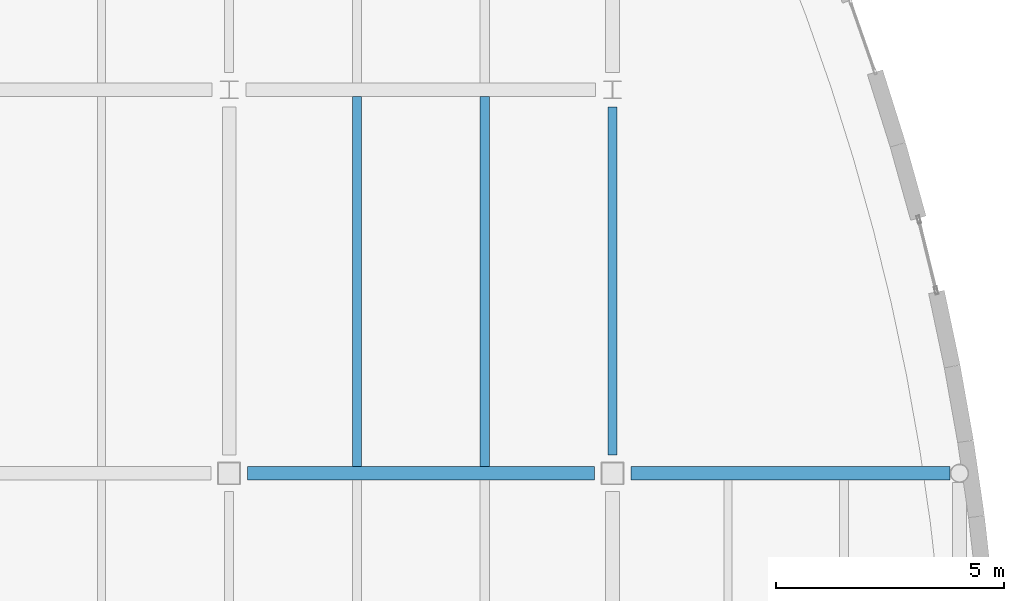
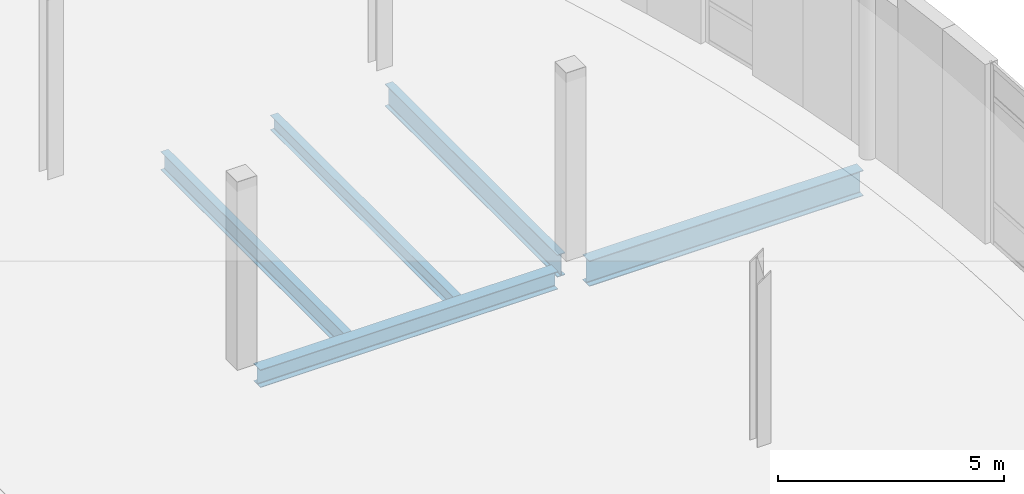
# One storey, part 49 of 104: 5 beams.
"""IFC4 building model written with IfcOpenShell, lengths in metres."""

from ifc_helpers import new_model, si_unit, direction, frame, origin, origin_2d, place, context, subcontext, project, spatial, i_section, extrude, material, material_profile, profile_set, type_object, element, save


model = new_model("IFC4")

# Units and contexts
model_context = context("Model", 3, precision=1e-05, world=origin(), true_north=direction((0.0, 1.0)))
body_context = subcontext(model_context, "Body", "Model", "MODEL_VIEW")
ifc_project = project(units=[si_unit("LENGTHUNIT", "METRE"), si_unit("AREAUNIT", "SQUARE_METRE"), si_unit("VOLUMEUNIT", "CUBIC_METRE"), si_unit("PLANEANGLEUNIT", "RADIAN"), si_unit("MASSUNIT", "GRAM", prefix="KILO"), si_unit("THERMODYNAMICTEMPERATUREUNIT", "KELVIN")], contexts=[model_context])

# Site, building, storey
site_placement = place(None, origin())
site = spatial("IfcSite", under=ifc_project, at=site_placement, CompositionType="ELEMENT")
building_placement = place(site_placement, origin())
building = spatial("IfcBuilding", under=site, at=building_placement, Name="Lustrewick Department Store", CompositionType="ELEMENT")
storey_placement = place(building_placement, frame((0.0, 0.0, 11.39990234375)))
storey = spatial("IfcBuildingStorey", under=building, at=storey_placement, Name="L03", CompositionType="ELEMENT", Elevation=11.39990234375)

# Beams
ifc_material = material(Name="Structural steel Q355B", Category="steel")
ifc_material_profile_1 = material_profile(ifc_material, i_section(OverallWidth=0.198974609375, OverallDepth=0.49609375, WebThickness=0.009033203125, FlangeThickness=0.013916015625, FilletRadius=0.01611328125, at=origin_2d()), Name="HN 496x199x9x14")
ifc_profile_set_1 = profile_set([ifc_material_profile_1], Name="Structural steel Q355B")
beam_type_1 = type_object("IfcBeamType", Name="B02", PredefinedType="JOIST", material=ifc_profile_set_1)
beam_1_placement = place(storey_placement, frame((154.0, 67.35009765625, -0.5029296875), z_axis=(0.0, 1.0, 0.0), x_axis=(-1.0, 0.0, 0.0)))
element("IfcBeam", 1, at=beam_1_placement, inside=storey, type_object=beam_type_1, Name="L03 V4 Secondary Joist B02", PredefinedType="JOIST", context=body_context, shape_type="SweptSolid", body=[
    extrude(i_section(OverallWidth=0.198974609375, OverallDepth=0.49609375, WebThickness=0.009033203125, FlangeThickness=0.013916015625, FilletRadius=0.01611328125, at=origin_2d()), origin(), (0.0, 0.0, 1.0), 8.099853515625),
])
ifc_material_profile_2 = material_profile(ifc_material, i_section(OverallWidth=0.198974609375, OverallDepth=0.39599609375, WebThickness=0.007080078125, FlangeThickness=0.010986328125, FilletRadius=0.013916015625, at=origin_2d()), Name="HN 396x199x7x11")
ifc_profile_set_2 = profile_set([ifc_material_profile_2], Name="Structural steel Q355B")
beam_type_2 = type_object("IfcBeamType", Name="B06", PredefinedType="JOIST", material=ifc_profile_set_2)
beam_2_placement = place(storey_placement, frame((156.800048828125, 67.35009765625, -0.452880859375), z_axis=(0.0, 1.0, 0.0), x_axis=(-1.0, 0.0, 0.0)))
element("IfcBeam", 2, at=beam_2_placement, inside=storey, type_object=beam_type_2, Name="L03 V4 Secondary Joist B06", PredefinedType="JOIST", context=body_context, shape_type="SweptSolid", body=[
    extrude(i_section(OverallWidth=0.198974609375, OverallDepth=0.39599609375, WebThickness=0.007080078125, FlangeThickness=0.010986328125, FilletRadius=0.013916015625, at=origin_2d()), origin(), (0.0, 0.0, 1.0), 8.099853515625),
])
ifc_material_profile_3 = material_profile(ifc_material, i_section(OverallWidth=0.300048828125, OverallDepth=0.69189453125, WebThickness=0.012939453125, FlangeThickness=0.02001953125, FilletRadius=0.02001953125, at=origin_2d()), Name="HN 692x300x13x20")
ifc_profile_set_3 = profile_set([ifc_material_profile_3], Name="Structural steel Q355B")
beam_type_3 = type_object("IfcBeamType", Name="G09", PredefinedType="BEAM", material=ifc_profile_set_3)
beam_3_placement = place(storey_placement, frame((160.0, 67.199951171875, -0.600830078125), z_axis=(1.0, 0.0, 0.0), x_axis=(0.0, 1.0, 0.0)))
element("IfcBeam", 3, at=beam_3_placement, inside=storey, type_object=beam_type_3, Name="L03 V4 Girder G09", PredefinedType="BEAM", context=body_context, shape_type="SweptSolid", body=[
    extrude(i_section(OverallWidth=0.300048828125, OverallDepth=0.69189453125, WebThickness=0.012939453125, FlangeThickness=0.02001953125, FilletRadius=0.02001953125, at=origin_2d()), origin(), (0.0, 0.0, 1.0), 6.9970703125),
])
ifc_material_profile_4 = material_profile(ifc_material, i_section(OverallWidth=0.199951171875, OverallDepth=0.60009765625, WebThickness=0.010986328125, FlangeThickness=0.01708984375, FilletRadius=0.01806640625, at=origin_2d()), Name="HN 600x200x11x17")
ifc_profile_set_4 = profile_set([ifc_material_profile_4], Name="Structural steel Q355B")
beam_type_4 = type_object("IfcBeamType", Name="G14", PredefinedType="BEAM", material=ifc_profile_set_4)
beam_4_placement = place(storey_placement, frame((159.60009765625, 67.60009765625, -0.554931640625), z_axis=(0.0, 1.0, 0.0), x_axis=(-1.0, 0.0, 0.0)))
element("IfcBeam", 4, at=beam_4_placement, inside=storey, type_object=beam_type_4, Name="L03 V4 Girder G14", PredefinedType="BEAM", context=body_context, shape_type="SweptSolid", body=[
    extrude(i_section(OverallWidth=0.199951171875, OverallDepth=0.60009765625, WebThickness=0.010986328125, FlangeThickness=0.01708984375, FilletRadius=0.01806640625, at=origin_2d()), origin(), (0.0, 0.0, 1.0), 7.625),
])
ifc_material_profile_5 = material_profile(ifc_material, i_section(OverallWidth=0.300048828125, OverallDepth=0.48193359375, WebThickness=0.010986328125, FlangeThickness=0.014892578125, FilletRadius=0.02197265625, at=origin_2d()), Name="HM 482x300x11x15")
ifc_profile_set_5 = profile_set([ifc_material_profile_5], Name="Structural steel Q355B")
beam_type_5 = type_object("IfcBeamType", Name="G20", PredefinedType="BEAM", material=ifc_profile_set_5)
beam_5_placement = place(storey_placement, frame((151.60009765625, 67.199951171875, -0.495849609375), z_axis=(1.0, 0.0, 0.0), x_axis=(0.0, 1.0, 0.0)))
element("IfcBeam", 5, at=beam_5_placement, inside=storey, type_object=beam_type_5, Name="L03 V4 Girder G20", PredefinedType="BEAM", context=body_context, shape_type="SweptSolid", body=[
    extrude(i_section(OverallWidth=0.300048828125, OverallDepth=0.48193359375, WebThickness=0.010986328125, FlangeThickness=0.014892578125, FilletRadius=0.02197265625, at=origin_2d()), origin(), (0.0, 0.0, 1.0), 7.599853515625),
])

save(model, "model.ifc")
